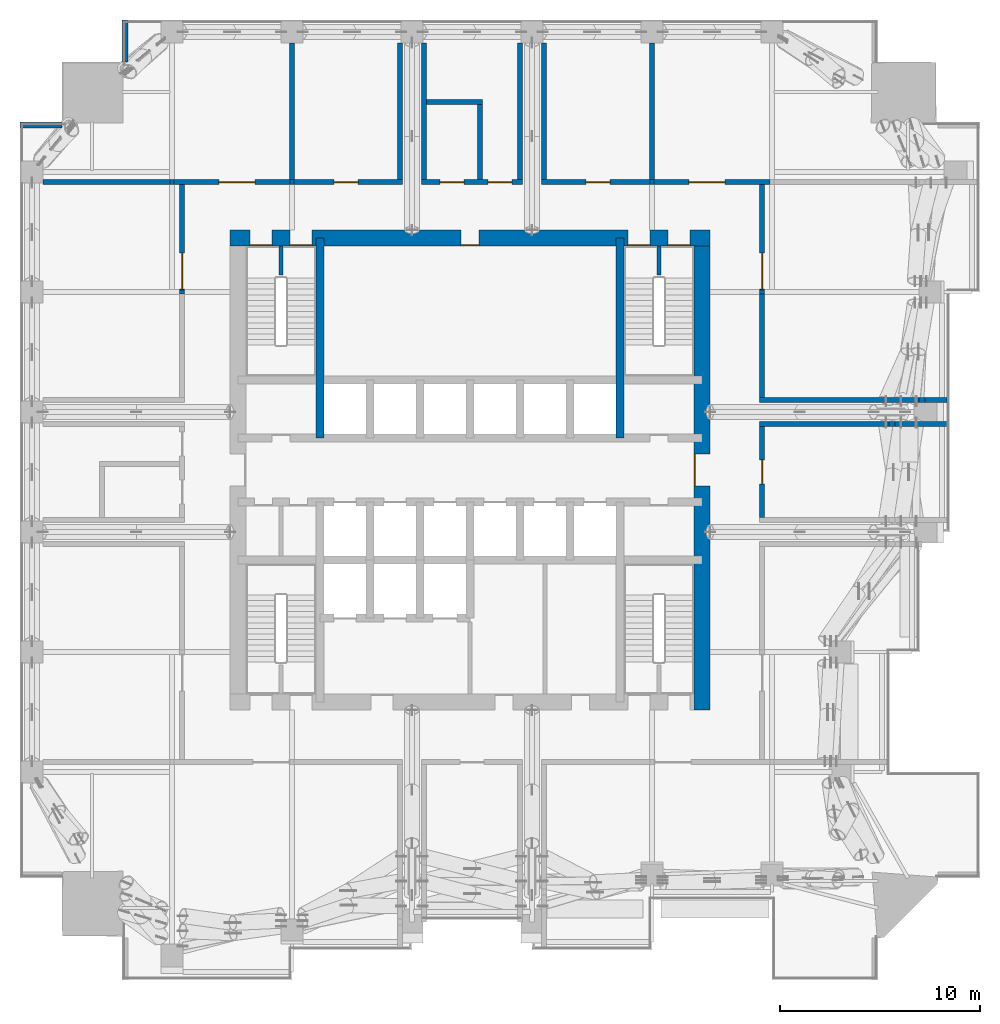
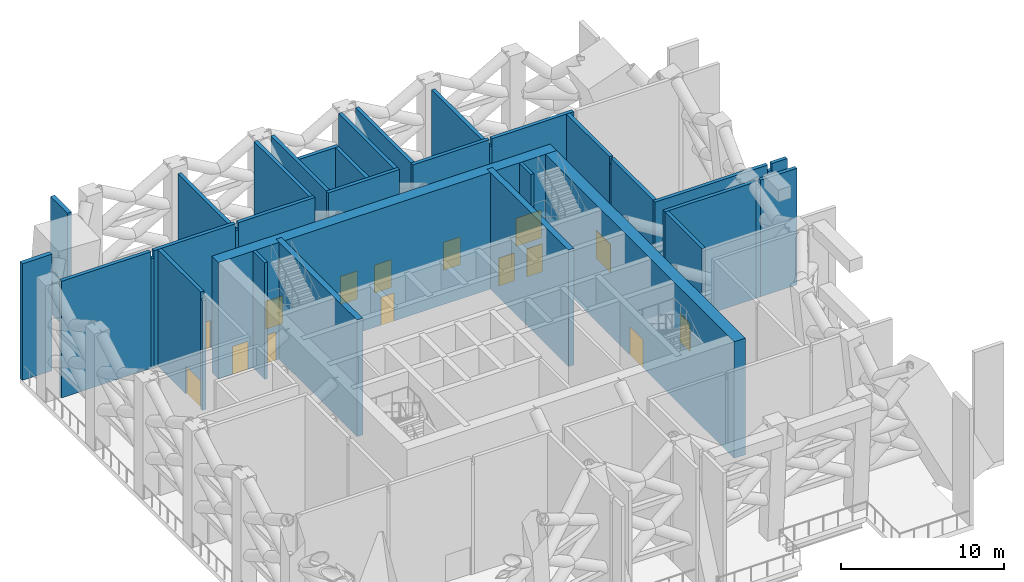
# One storey, part 9 of 19: 37 walls, 15 doors, 15 openings.
"""IFC4 building model written with IfcOpenShell, lengths in metres."""

import ifcopenshell
import ifcopenshell.guid

model = None  # the IFC model being written
_history = None  # IfcOwnerHistory: only IFC2X3 demands one
_inside = {}  # id of a spatial element -> (the spatial element, [elements in it])
_under = {}  # id of a project, library or spatial element -> (it, [spatial elements below it])
_declared = {}  # id of a project -> (the project, [libraries it declares])
_typed = {}  # id of a type object -> (the type object, [elements of that type])
_made_of = {}  # id of a material, layer set ... -> (it, [elements and type objects made of it])


def new_model(schema):
    """Start an empty IFC model of exactly this schema.

    Asked for "IFC4X3", IfcOpenShell would pick the latest addendum, in which some entities
    have other attributes; the version numbers below select the first issue.
    IFC2X3 requires an IfcOwnerHistory on every rooted entity: one is made here for all.
    """
    global model, _history
    if schema == "IFC4X3":
        model = ifcopenshell.file(schema_version=(4, 3, 0, 0))
    else:
        model = ifcopenshell.file(schema=schema)
    _inside.clear()
    _under.clear()
    _declared.clear()
    _typed.clear()
    _made_of.clear()
    _history = None
    if model.schema == "IFC2X3":
        org = make("IfcOrganization", Name="unknown")
        user = make(
            "IfcPersonAndOrganization",
            ThePerson=make("IfcPerson", FamilyName="unknown"),
            TheOrganization=org,
        )
        app = make(
            "IfcApplication",
            ApplicationDeveloper=org,
            Version="unknown",
            ApplicationFullName="unknown",
            ApplicationIdentifier="unknown",
        )
        _history = make(
            "IfcOwnerHistory",
            OwningUser=user,
            OwningApplication=app,
            ChangeAction="ADDED",
            CreationDate=0,
        )
    return model


def make(cls, **values):
    """One entity of the class cls with the attributes given. An attribute that is None is left unset."""
    return model.create_entity(
        cls, **{name: value for name, value in values.items() if value is not None}
    )


def rooted(cls, **values):
    """An entity with a GlobalId (a new one), such as an element, a storey or a relation."""
    return make(cls, GlobalId=ifcopenshell.guid.new(), OwnerHistory=_history, **values)


def si_unit(unit_type, name, prefix=None):
    """IfcSIUnit, for example si_unit("LENGTHUNIT", "METRE", prefix="MILLI")."""
    return make("IfcSIUnit", UnitType=unit_type, Prefix=prefix, Name=name)


def assignment(units):
    """IfcUnitAssignment: the units of a project."""
    return None if units is None else make("IfcUnitAssignment", Units=units)


def point(xyz):
    """IfcCartesianPoint."""
    return None if xyz is None else make("IfcCartesianPoint", Coordinates=xyz)


def direction(xyz):
    """IfcDirection."""
    return None if xyz is None else make("IfcDirection", DirectionRatios=xyz)


def frame(location, z_axis=None, x_axis=None):
    """IfcAxis2Placement3D, a coordinate frame: its origin and axes. An axis left out is left unset."""
    return make(
        "IfcAxis2Placement3D",
        Location=point(location),
        Axis=direction(z_axis),
        RefDirection=direction(x_axis),
    )


def frame_2d(location, x_axis=None):
    """IfcAxis2Placement2D, a coordinate frame in the plane: its origin and x axis."""
    return make(
        "IfcAxis2Placement2D", Location=point(location), RefDirection=direction(x_axis)
    )


def origin():
    """The frame at (0, 0, 0) with its axes left unset."""
    return frame((0.0, 0.0, 0.0))


def place(relative_to, where):
    """IfcLocalPlacement: puts the frame where relative to a parent placement (None: the world)."""
    return make(
        "IfcLocalPlacement", PlacementRelTo=relative_to, RelativePlacement=where
    )


def context(
    kind, dimensions, precision=None, world=None, true_north=None, identifier=None
):
    """IfcGeometricRepresentationContext, for example the 3D "Model" context."""
    return make(
        "IfcGeometricRepresentationContext",
        ContextIdentifier=identifier,
        ContextType=kind,
        CoordinateSpaceDimension=dimensions,
        Precision=precision,
        WorldCoordinateSystem=world,
        TrueNorth=true_north,
    )


def subcontext(parent, identifier, kind, view, scale=None):
    """IfcGeometricRepresentationSubContext, for example "Body" below "Model"."""
    return make(
        "IfcGeometricRepresentationSubContext",
        ContextIdentifier=identifier,
        ContextType=kind,
        ParentContext=parent,
        TargetScale=scale,
        TargetView=view,
    )


def project(units=None, contexts=None):
    """IfcProject with its units and contexts."""
    return rooted(
        "IfcProject",
        Name="project",
        RepresentationContexts=contexts,
        UnitsInContext=assignment(units),
    )


def spatial(cls, under=None, at=None, **own):
    """A site, building, storey or space (cls), placed at a placement, below another one or the project."""
    s = rooted(cls, ObjectPlacement=at, **own)
    if under is not None:
        _under.setdefault(under.id(), (under, []))[1].append(s)
    return s


def profile(cls, at=None, kind="AREA", **sizes):
    """A parametric profile (cls). Its sizes go by their IFC names, for example OverallWidth=200.0."""
    return make(cls, ProfileType=kind, Position=at, **sizes)


def rectangle(**sizes):
    """IfcRectangleProfileDef."""
    return profile("IfcRectangleProfileDef", **sizes)


def extrude(swept, where, along, depth):
    """IfcExtrudedAreaSolid: the profile swept, set in the frame where, extruded along a direction by depth."""
    return make(
        "IfcExtrudedAreaSolid",
        SweptArea=swept,
        Position=where,
        ExtrudedDirection=direction(along),
        Depth=depth,
    )


def shape(context_of_items, identifier, shape_type, items):
    """IfcShapeRepresentation: the items that make up one representation, for example the "Body"."""
    return make(
        "IfcShapeRepresentation",
        ContextOfItems=context_of_items,
        RepresentationIdentifier=identifier,
        RepresentationType=shape_type,
        Items=items,
    )


def material(Name=None, Category=None):
    """IfcMaterial."""
    return make("IfcMaterial", Name=Name, Category=Category)


def layer(
    of_material, thickness, ventilated=None, Name=None, Category=None, Priority=None
):
    """IfcMaterialLayer: one layer of a wall or slab, of a material (None: an air gap)."""
    return make(
        "IfcMaterialLayer",
        Material=of_material,
        LayerThickness=thickness,
        IsVentilated=ventilated,
        Name=Name,
        Category=Category,
        Priority=Priority,
    )


def layer_set(layers, Name=None):
    """IfcMaterialLayerSet."""
    return make("IfcMaterialLayerSet", MaterialLayers=layers, LayerSetName=Name)


def made_of(thing, what):
    """Note that an element or type object is made of a material, layer set ...; save() writes the relation."""
    if what is not None:
        _made_of.setdefault(what.id(), (what, []))[1].append(thing)
    return thing


def type_object(cls, material=None, **own):
    """A type object (cls), such as IfcWallType, which elements share."""
    return made_of(rooted(cls, **own), material)


def element(
    cls,
    number,
    at=None,
    inside=None,
    cuts=None,
    type_object=None,
    material=None,
    context=None,
    identifier="Body",
    shape_type=None,
    held_by="IfcProductDefinitionShape",
    body=None,
    shapes=None,
    **own,
):
    """One element of the class cls, such as IfcWall. Its Tag is "e" and its number.

    at: its placement. inside: the storey or other place that contains it. cuts: it is an
    opening in that element (IfcRelVoidsElement). A single representation is given by context,
    identifier, shape_type and body (its items); several are given by shapes. held_by: the class
    of the entity that holds the representations. save() writes the other relations.
    """
    e = rooted(cls, Tag="e%d" % number, ObjectPlacement=at, **own)
    if body is not None:
        shapes = [shape(context, identifier, shape_type, body)]
    if shapes is not None:
        e.Representation = make(held_by, Representations=shapes)
    if inside is not None:
        _inside.setdefault(inside.id(), (inside, []))[1].append(e)
    if cuts is not None:
        rooted(
            "IfcRelVoidsElement", RelatingBuildingElement=cuts, RelatedOpeningElement=e
        )
    if type_object is not None:
        _typed.setdefault(type_object.id(), (type_object, []))[1].append(e)
    return made_of(e, material)


def fill(opening, filler):
    """IfcRelFillsElement: the door or window that sits in an opening."""
    return rooted(
        "IfcRelFillsElement",
        RelatingOpeningElement=opening,
        RelatedBuildingElement=filler,
    )


def aggregate(whole, parts):
    """IfcRelAggregates: a whole, such as a stair, and the parts it consists of."""
    return rooted("IfcRelAggregates", RelatingObject=whole, RelatedObjects=parts)


def save(model, path):
    """Write the relations noted so far, then the file.

    IfcRelAggregates (storeys below a building ...), IfcRelContainedInSpatialStructure (elements
    in a storey), IfcRelDefinesByType, IfcRelAssociatesMaterial and IfcRelDeclares: one each for
    every whole, place, type object, material and project.
    """
    for whole, parts in _under.values():
        aggregate(whole, parts)
    for where, things in _inside.values():
        rooted(
            "IfcRelContainedInSpatialStructure",
            RelatedElements=things,
            RelatingStructure=where,
        )
    for kind, things in _typed.values():
        rooted("IfcRelDefinesByType", RelatedObjects=things, RelatingType=kind)
    for what, things in _made_of.values():
        rooted("IfcRelAssociatesMaterial", RelatedObjects=things, RelatingMaterial=what)
    for by, libraries in _declared.values():
        rooted("IfcRelDeclares", RelatingContext=by, RelatedDefinitions=libraries)
    model.write(path)


model = new_model("IFC4")

# Units and contexts
model_context = context("Model", 3, precision=1e-05, world=origin(), true_north=direction((0.0, 1.0)))
body_context = subcontext(model_context, "Body", "Model", "MODEL_VIEW")
ifc_project = project(units=[si_unit("LENGTHUNIT", "METRE"), si_unit("AREAUNIT", "SQUARE_METRE"), si_unit("VOLUMEUNIT", "CUBIC_METRE"), si_unit("PLANEANGLEUNIT", "RADIAN"), si_unit("MASSUNIT", "GRAM", prefix="KILO")], contexts=[model_context])

# Site, building, storey
site_placement = place(None, origin())
site = spatial("IfcSite", under=ifc_project, at=site_placement, CompositionType="ELEMENT")
building_placement = place(site_placement, origin())
building = spatial("IfcBuilding", under=site, at=building_placement, Name="Amberfall Residences", CompositionType="ELEMENT")
storey_placement = place(building_placement, frame((0.0, 0.0, 124.89990234375)))
storey = spatial("IfcBuildingStorey", under=building, at=storey_placement, Name="L34", CompositionType="ELEMENT", Elevation=124.89990234375)

# Walls
ifc_material_1 = material(Name="Reinforced concrete C40", Category="concrete")
ifc_layer_1 = layer(ifc_material_1, 0.25)
ifc_layer_set_1 = layer_set([ifc_layer_1], Name="Compartment wall 250")
wall_type_1 = type_object("IfcWallType", Name="Compartment wall 250", PredefinedType="SOLIDWALL", material=ifc_layer_set_1)
wall_1_placement = place(storey_placement, frame((88.97509765625, 47.800048828125, 0.0), z_axis=(0.0, 0.0, 1.0), x_axis=(1.0, 0.0, 0.0)))
element("IfcWall", 1, at=wall_1_placement, inside=storey, type_object=wall_type_1, Name="Compartment wall 250 L34 024", PredefinedType="SOLIDWALL", context=body_context, shape_type="SweptSolid", body=[
    extrude(rectangle(XDim=6.474853515625, YDim=0.25, at=frame_2d((3.2373046875, 0.0))), origin(), (0.0, 0.0, 1.0), 8.75),
])
wall_2_placement = place(storey_placement, frame((95.449951171875, 47.800048828125, 0.0), z_axis=(0.0, 0.0, 1.0), x_axis=(1.0, 0.0, 0.0)))
element("IfcWall", 2, at=wall_2_placement, inside=storey, type_object=wall_type_1, Name="Compartment wall 250 L34 025", PredefinedType="SOLIDWALL", context=body_context, shape_type="SweptSolid", body=[
    extrude(rectangle(XDim=0.300048828125, YDim=0.25, at=frame_2d((0.14990234375, 0.0))), origin(), (0.0, 0.0, 1.0), 8.25),
])
wall_3_placement = place(storey_placement, frame((95.75, 47.800048828125, 0.0), z_axis=(0.0, 0.0, 1.0), x_axis=(1.0, 0.0, 0.0)))
element("IfcWall", 3, at=wall_3_placement, inside=storey, type_object=wall_type_1, Name="Compartment wall 250 L34 026", PredefinedType="SOLIDWALL", context=body_context, shape_type="SweptSolid", body=[
    extrude(rectangle(XDim=2.60009765625, YDim=0.25, at=frame_2d((1.300048828125, 0.0))), origin(), (0.0, 0.0, 1.0), 8.75),
])
wall_4_placement = place(storey_placement, frame((88.97509765625, 49.0, 0.0), z_axis=(0.0, 0.0, 1.0), x_axis=(1.0, 0.0, 0.0)))
element("IfcWall", 4, at=wall_4_placement, inside=storey, type_object=wall_type_1, Name="Compartment wall 250 L34 028", PredefinedType="SOLIDWALL", context=body_context, shape_type="SweptSolid", body=[
    extrude(rectangle(XDim=7.974853515625, YDim=0.25, at=frame_2d((3.9873046875, 0.0))), origin(), (0.0, 0.0, 1.0), 8.75),
])
wall_5_placement = place(storey_placement, frame((96.949951171875, 49.0, 0.0), z_axis=(0.0, 0.0, 1.0), x_axis=(1.0, 0.0, 0.0)))
element("IfcWall", 5, at=wall_5_placement, inside=storey, type_object=wall_type_1, Name="Compartment wall 250 L34 029", PredefinedType="SOLIDWALL", context=body_context, shape_type="SweptSolid", body=[
    extrude(rectangle(XDim=0.300048828125, YDim=0.25, at=frame_2d((0.14990234375, 0.0))), origin(), (0.0, 0.0, 1.0), 8.25),
])
wall_6_placement = place(storey_placement, frame((97.25, 49.0, 0.0), z_axis=(0.0, 0.0, 1.0), x_axis=(1.0, 0.0, 0.0)))
element("IfcWall", 6, at=wall_6_placement, inside=storey, type_object=wall_type_1, Name="Compartment wall 250 L34 030", PredefinedType="SOLIDWALL", context=body_context, shape_type="SweptSolid", body=[
    extrude(rectangle(XDim=1.10009765625, YDim=0.25, at=frame_2d((0.550048828125, 0.0))), origin(), (0.0, 0.0, 1.0), 8.75),
])
wall_7_placement = place(storey_placement, frame((53.14990234375, 59.89990234375, 0.0), z_axis=(0.0, 0.0, 1.0), x_axis=(1.0, 0.0, 0.0)))
element("IfcWall", 7, at=wall_7_placement, inside=storey, type_object=wall_type_1, Name="Compartment wall 250 L34 031", PredefinedType="SOLIDWALL", context=body_context, shape_type="SweptSolid", body=[
    extrude(rectangle(XDim=6.3447265625, YDim=0.25, at=frame_2d((3.17236328125, 0.0))), origin(), (0.0, 0.0, 1.0), 8.75),
])
wall_8_placement = place(storey_placement, frame((59.49462890625, 59.89990234375, 0.0), z_axis=(0.0, 0.0, 1.0), x_axis=(1.0, 0.0, 0.0)))
element("IfcWall", 8, at=wall_8_placement, inside=storey, type_object=wall_type_1, Name="Compartment wall 250 L34 032", PredefinedType="SOLIDWALL", context=body_context, shape_type="SweptSolid", body=[
    extrude(rectangle(XDim=0.210693359375, YDim=0.25, at=frame_2d((0.10546875, 0.0))), origin(), (0.0, 0.0, 1.0), 8.211181640625),
])

# Wall, opening, door
wall_9_placement = place(storey_placement, frame((59.705322265625, 59.89990234375, 0.0), z_axis=(0.0, 0.0, 1.0), x_axis=(1.0, 0.0, 0.0)))
wall_9 = element("IfcWall", 9, at=wall_9_placement, inside=storey, type_object=wall_type_1, Name="Compartment wall 250 L34 033", PredefinedType="SOLIDWALL", context=body_context, shape_type="SweptSolid", body=[
    extrude(rectangle(XDim=5.7900390625, YDim=0.25, at=frame_2d((2.89501953125, 0.0))), origin(), (0.0, 0.0, 1.0), 8.75),
])
opening_1_placement = place(wall_9_placement, frame((2.24462890625, 0.0, 0.0)))
opening_1 = element("IfcOpeningElement", 10, at=opening_1_placement, cuts=wall_9, Name="Opening D13", PredefinedType="OPENING", context=body_context, shape_type="SweptSolid", body=[
    extrude(rectangle(XDim=1.800048828125, YDim=2.10009765625, at=frame_2d((0.89990234375, 1.050048828125))), frame((0.0, 0.135009765625, 0.0), z_axis=(0.0, -1.0, 0.0), x_axis=(1.0, 0.0, 0.0)), (0.0, 0.0, 1.0), 0.27001953125),
])
ifc_material_2 = material(Name="Steel fire door leaf", Category="steel")
door_type_1 = type_object("IfcDoorType", Name="Double fire door 1800x2100 FD60", OperationType="DOUBLE_DOOR_SINGLE_SWING", PredefinedType="DOOR", material=ifc_material_2)
door_1_placement = place(opening_1_placement, origin())
door_1 = element("IfcDoor", 11, at=door_1_placement, inside=storey, type_object=door_type_1, Name="Door Refuge area 4", OperationType="DOUBLE_DOOR_SINGLE_SWING", OverallHeight=2.10009765625, OverallWidth=1.800048828125, PredefinedType="DOOR", context=body_context, shape_type="SweptSolid", body=[
    extrude(rectangle(XDim=1.800048828125, YDim=2.10009765625, at=frame_2d((0.89990234375, 1.050048828125))), frame((0.0, 0.02490234375, 0.0), z_axis=(0.0, -1.0, 0.0), x_axis=(1.0, 0.0, 0.0)), (0.0, 0.0, 1.0), 0.050048828125),
])
fill(opening_1, door_1)

# Wall
wall_10_placement = place(storey_placement, frame((65.495361328125, 59.89990234375, 0.0), z_axis=(0.0, 0.0, 1.0), x_axis=(1.0, 0.0, 0.0)))
element("IfcWall", 12, at=wall_10_placement, inside=storey, type_object=wall_type_1, Name="Compartment wall 250 L34 034", PredefinedType="SOLIDWALL", context=body_context, shape_type="SweptSolid", body=[
    extrude(rectangle(XDim=0.209228515625, YDim=0.25, at=frame_2d((0.1044921875, 0.0))), origin(), (0.0, 0.0, 1.0), 8.217041015625),
])

# Wall, opening, door
wall_11_placement = place(storey_placement, frame((65.70458984375, 59.89990234375, 0.0), z_axis=(0.0, 0.0, 1.0), x_axis=(1.0, 0.0, 0.0)))
wall_11 = element("IfcWall", 13, at=wall_11_placement, inside=storey, type_object=wall_type_1, Name="Compartment wall 250 L34 035", PredefinedType="SOLIDWALL", context=body_context, shape_type="SweptSolid", body=[
    extrude(rectangle(XDim=5.42041015625, YDim=0.25, at=frame_2d((2.710205078125, 0.0))), origin(), (0.0, 0.0, 1.0), 8.75),
])
opening_2_placement = place(wall_11_placement, frame((1.995361328125, 0.0, 0.0)))
opening_2 = element("IfcOpeningElement", 14, at=opening_2_placement, cuts=wall_11, Name="Opening D6", PredefinedType="OPENING", context=body_context, shape_type="SweptSolid", body=[
    extrude(rectangle(XDim=1.199951171875, YDim=2.10009765625, at=frame_2d((0.60009765625, 1.050048828125))), frame((0.0, 0.135009765625, 0.0), z_axis=(0.0, -1.0, 0.0), x_axis=(1.0, 0.0, 0.0)), (0.0, 0.0, 1.0), 0.27001953125),
])
door_type_2 = type_object("IfcDoorType", Name="Exit door 1200x2100", OperationType="SINGLE_SWING_LEFT", PredefinedType="DOOR", material=ifc_material_2)
door_2_placement = place(opening_2_placement, origin())
door_2 = element("IfcDoor", 15, at=door_2_placement, inside=storey, type_object=door_type_2, Name="Door Refuge area 5", OperationType="SINGLE_SWING_LEFT", OverallHeight=2.10009765625, OverallWidth=1.199951171875, PredefinedType="DOOR", context=body_context, shape_type="SweptSolid", body=[
    extrude(rectangle(XDim=1.199951171875, YDim=2.10009765625, at=frame_2d((0.60009765625, 1.050048828125))), frame((0.0, 0.02490234375, 0.0), z_axis=(0.0, -1.0, 0.0), x_axis=(1.0, 0.0, 0.0)), (0.0, 0.0, 1.0), 0.050048828125),
])
fill(opening_2, door_2)

# Wall, openings, doors
wall_12_placement = place(storey_placement, frame((72.074951171875, 59.89990234375, 0.0), z_axis=(0.0, 0.0, 1.0), x_axis=(1.0, 0.0, 0.0)))
wall_12 = element("IfcWall", 16, at=wall_12_placement, inside=storey, type_object=wall_type_1, Name="Compartment wall 250 L34 036", PredefinedType="SOLIDWALL", context=body_context, shape_type="SweptSolid", body=[
    extrude(rectangle(XDim=5.050048828125, YDim=0.25, at=frame_2d((2.52490234375, 0.0))), origin(), (0.0, 0.0, 1.0), 8.75),
])
opening_3_placement = place(wall_12_placement, frame((0.925048828125, 0.0, 0.0)))
opening_3 = element("IfcOpeningElement", 17, at=opening_3_placement, cuts=wall_12, Name="Opening D7", PredefinedType="OPENING", context=body_context, shape_type="SweptSolid", body=[
    extrude(rectangle(XDim=1.199951171875, YDim=2.10009765625, at=frame_2d((0.60009765625, 1.050048828125))), frame((0.0, 0.135009765625, 0.0), z_axis=(0.0, -1.0, 0.0), x_axis=(1.0, 0.0, 0.0)), (0.0, 0.0, 1.0), 0.27001953125),
])
opening_4_placement = place(wall_12_placement, frame((3.324951171875, 0.0, 0.0)))
opening_4 = element("IfcOpeningElement", 18, at=opening_4_placement, cuts=wall_12, Name="Opening D6", PredefinedType="OPENING", context=body_context, shape_type="SweptSolid", body=[
    extrude(rectangle(XDim=1.199951171875, YDim=2.10009765625, at=frame_2d((0.60009765625, 1.050048828125))), frame((0.0, 0.135009765625, 0.0), z_axis=(0.0, -1.0, 0.0), x_axis=(1.0, 0.0, 0.0)), (0.0, 0.0, 1.0), 0.27001953125),
])
door_3_placement = place(opening_4_placement, origin())
door_3 = element("IfcDoor", 19, at=door_3_placement, inside=storey, type_object=door_type_2, Name="Door Refuge area 6", OperationType="SINGLE_SWING_LEFT", OverallHeight=2.10009765625, OverallWidth=1.199951171875, PredefinedType="DOOR", context=body_context, shape_type="SweptSolid", body=[
    extrude(rectangle(XDim=1.199951171875, YDim=2.10009765625, at=frame_2d((0.60009765625, 1.050048828125))), frame((0.0, 0.02490234375, 0.0), z_axis=(0.0, -1.0, 0.0), x_axis=(1.0, 0.0, 0.0)), (0.0, 0.0, 1.0), 0.050048828125),
])
fill(opening_4, door_3)
door_type_3 = type_object("IfcDoorType", Name="Plant room door 1200x2100", OperationType="SINGLE_SWING_LEFT", PredefinedType="DOOR", material=ifc_material_2)
door_4_placement = place(opening_3_placement, origin())
door_4 = element("IfcDoor", 20, at=door_4_placement, inside=storey, type_object=door_type_3, Name="Door Fire services water tank room N", OperationType="SINGLE_SWING_LEFT", OverallHeight=2.10009765625, OverallWidth=1.199951171875, PredefinedType="DOOR", context=body_context, shape_type="SweptSolid", body=[
    extrude(rectangle(XDim=1.199951171875, YDim=2.10009765625, at=frame_2d((0.60009765625, 1.050048828125))), frame((0.0, 0.02490234375, 0.0), z_axis=(0.0, -1.0, 0.0), x_axis=(1.0, 0.0, 0.0)), (0.0, 0.0, 1.0), 0.050048828125),
])
fill(opening_3, door_4)

# Wall, opening, door
wall_13_placement = place(storey_placement, frame((78.074951171875, 59.89990234375, 0.0), z_axis=(0.0, 0.0, 1.0), x_axis=(1.0, 0.0, 0.0)))
wall_13 = element("IfcWall", 21, at=wall_13_placement, inside=storey, type_object=wall_type_1, Name="Compartment wall 250 L34 037", PredefinedType="SOLIDWALL", context=body_context, shape_type="SweptSolid", body=[
    extrude(rectangle(XDim=5.42041015625, YDim=0.25, at=frame_2d((2.710205078125, 0.0))), origin(), (0.0, 0.0, 1.0), 8.75),
])
opening_5_placement = place(wall_13_placement, frame((2.22509765625, 0.0, 0.0)))
opening_5 = element("IfcOpeningElement", 22, at=opening_5_placement, cuts=wall_13, Name="Opening D6", PredefinedType="OPENING", context=body_context, shape_type="SweptSolid", body=[
    extrude(rectangle(XDim=1.199951171875, YDim=2.10009765625, at=frame_2d((0.60009765625, 1.050048828125))), frame((0.0, 0.135009765625, 0.0), z_axis=(0.0, -1.0, 0.0), x_axis=(1.0, 0.0, 0.0)), (0.0, 0.0, 1.0), 0.27001953125),
])
door_5_placement = place(opening_5_placement, origin())
door_5 = element("IfcDoor", 23, at=door_5_placement, inside=storey, type_object=door_type_2, Name="Door Refuge area 7", OperationType="SINGLE_SWING_LEFT", OverallHeight=2.10009765625, OverallWidth=1.199951171875, PredefinedType="DOOR", context=body_context, shape_type="SweptSolid", body=[
    extrude(rectangle(XDim=1.199951171875, YDim=2.10009765625, at=frame_2d((0.60009765625, 1.050048828125))), frame((0.0, 0.02490234375, 0.0), z_axis=(0.0, -1.0, 0.0), x_axis=(1.0, 0.0, 0.0)), (0.0, 0.0, 1.0), 0.050048828125),
])
fill(opening_5, door_5)

# Wall
wall_14_placement = place(storey_placement, frame((83.495361328125, 59.89990234375, 0.0), z_axis=(0.0, 0.0, 1.0), x_axis=(1.0, 0.0, 0.0)))
element("IfcWall", 24, at=wall_14_placement, inside=storey, type_object=wall_type_1, Name="Compartment wall 250 L34 038", PredefinedType="SOLIDWALL", context=body_context, shape_type="SweptSolid", body=[
    extrude(rectangle(XDim=0.209228515625, YDim=0.25, at=frame_2d((0.1044921875, 0.0))), origin(), (0.0, 0.0, 1.0), 8.217041015625),
])

# Wall, opening, door
wall_15_placement = place(storey_placement, frame((83.70458984375, 59.89990234375, 0.0), z_axis=(0.0, 0.0, 1.0), x_axis=(1.0, 0.0, 0.0)))
wall_15 = element("IfcWall", 25, at=wall_15_placement, inside=storey, type_object=wall_type_1, Name="Compartment wall 250 L34 039", PredefinedType="SOLIDWALL", context=body_context, shape_type="SweptSolid", body=[
    extrude(rectangle(XDim=5.7900390625, YDim=0.25, at=frame_2d((2.89501953125, 0.0))), origin(), (0.0, 0.0, 1.0), 8.75),
])
opening_6_placement = place(wall_15_placement, frame((1.745361328125, 0.0, 0.0)))
opening_6 = element("IfcOpeningElement", 26, at=opening_6_placement, cuts=wall_15, Name="Opening D13", PredefinedType="OPENING", context=body_context, shape_type="SweptSolid", body=[
    extrude(rectangle(XDim=1.800048828125, YDim=2.10009765625, at=frame_2d((0.89990234375, 1.050048828125))), frame((0.0, 0.135009765625, 0.0), z_axis=(0.0, -1.0, 0.0), x_axis=(1.0, 0.0, 0.0)), (0.0, 0.0, 1.0), 0.27001953125),
])
door_6_placement = place(opening_6_placement, origin())
door_6 = element("IfcDoor", 27, at=door_6_placement, inside=storey, type_object=door_type_1, Name="Door Refuge area 8", OperationType="DOUBLE_DOOR_SINGLE_SWING", OverallHeight=2.10009765625, OverallWidth=1.800048828125, PredefinedType="DOOR", context=body_context, shape_type="SweptSolid", body=[
    extrude(rectangle(XDim=1.800048828125, YDim=2.10009765625, at=frame_2d((0.89990234375, 1.050048828125))), frame((0.0, 0.02490234375, 0.0), z_axis=(0.0, -1.0, 0.0), x_axis=(1.0, 0.0, 0.0)), (0.0, 0.0, 1.0), 0.050048828125),
])
fill(opening_6, door_6)

# Walls
wall_16_placement = place(storey_placement, frame((72.324951171875, 63.89990234375, 0.0), z_axis=(0.0, 0.0, 1.0), x_axis=(1.0, 0.0, 0.0)))
element("IfcWall", 28, at=wall_16_placement, inside=storey, type_object=wall_type_1, Name="Compartment wall 250 L34 044", PredefinedType="SOLIDWALL", context=body_context, shape_type="SweptSolid", body=[
    extrude(rectangle(XDim=2.800048828125, YDim=0.25, at=frame_2d((1.39990234375, 0.0))), origin(), (0.0, 0.0, 1.0), 8.75),
])
wall_17_placement = place(storey_placement, frame((60.10009765625, 54.29541015625, 0.0), z_axis=(0.0, 0.0, 1.0), x_axis=(0.0, 1.0, 0.0)))
element("IfcWall", 29, at=wall_17_placement, inside=storey, type_object=wall_type_1, Name="Compartment wall 250 L34 051", PredefinedType="SOLIDWALL", context=body_context, shape_type="SweptSolid", body=[
    extrude(rectangle(XDim=0.209228515625, YDim=0.25, at=frame_2d((0.1044921875, 0.0))), origin(), (0.0, 0.0, 1.0), 8.217041015625),
])

# Wall, opening, door
wall_18_placement = place(storey_placement, frame((60.10009765625, 54.504638671875, 0.0), z_axis=(0.0, 0.0, 1.0), x_axis=(0.0, 1.0, 0.0)))
wall_18 = element("IfcWall", 30, at=wall_18_placement, inside=storey, type_object=wall_type_1, Name="Compartment wall 250 L34 052", PredefinedType="SOLIDWALL", context=body_context, shape_type="SweptSolid", body=[
    extrude(rectangle(XDim=5.270263671875, YDim=0.25, at=frame_2d((2.63525390625, 0.0))), origin(), (0.0, 0.0, 1.0), 8.75),
])
opening_7_placement = place(wall_18_placement, frame((0.04541015625, 0.0, 0.0)))
opening_7 = element("IfcOpeningElement", 31, at=opening_7_placement, cuts=wall_18, Name="Opening D13", PredefinedType="OPENING", context=body_context, shape_type="SweptSolid", body=[
    extrude(rectangle(XDim=1.800048828125, YDim=2.10009765625, at=frame_2d((0.89990234375, 1.050048828125))), frame((0.0, 0.135009765625, 0.0), z_axis=(0.0, -1.0, 0.0), x_axis=(1.0, 0.0, 0.0)), (0.0, 0.0, 1.0), 0.27001953125),
])
door_7_placement = place(opening_7_placement, origin())
door_7 = element("IfcDoor", 32, at=door_7_placement, inside=storey, type_object=door_type_1, Name="Door Refuge area 11", OperationType="DOUBLE_DOOR_SINGLE_SWING", OverallHeight=2.10009765625, OverallWidth=1.800048828125, PredefinedType="DOOR", context=body_context, shape_type="SweptSolid", body=[
    extrude(rectangle(XDim=1.800048828125, YDim=2.10009765625, at=frame_2d((0.89990234375, 1.050048828125))), frame((0.0, 0.02490234375, 0.0), z_axis=(0.0, -1.0, 0.0), x_axis=(1.0, 0.0, 0.0)), (0.0, 0.0, 1.0), 0.050048828125),
])
fill(opening_7, door_7)

# Walls
wall_19_placement = place(storey_placement, frame((65.60009765625, 60.02490234375, 0.0), z_axis=(0.0, 0.0, 1.0), x_axis=(0.0, 1.0, 0.0)))
element("IfcWall", 33, at=wall_19_placement, inside=storey, type_object=wall_type_1, Name="Compartment wall 250 L34 053", PredefinedType="SOLIDWALL", context=body_context, shape_type="SweptSolid", body=[
    extrude(rectangle(XDim=6.8251953125, YDim=0.25, at=frame_2d((3.41259765625, 0.0))), origin(), (0.0, 0.0, 1.0), 8.217041015625),
])
for number, where, z_axis, x_axis, name in (
    (34, (71.0, 60.02490234375, 0.0), (0.0, 0.0, 1.0), (0.0, 1.0, 0.0), "Compartment wall 250 L34 057"),
    (35, (72.199951171875, 60.02490234375, 0.0), (0.0, 0.0, 1.0), (0.0, 1.0, 0.0), "Compartment wall 250 L34 061"),
):
    element("IfcWall", number, at=place(storey_placement, frame(where, z_axis=z_axis, x_axis=x_axis)), inside=storey, type_object=wall_type_1, Name=name, PredefinedType="SOLIDWALL", context=body_context, shape_type="SweptSolid", body=[
        extrude(rectangle(XDim=6.8251953125, YDim=0.25, at=frame_2d((3.41259765625, 0.0))), origin(), (0.0, 0.0, 1.0), 8.75),
    ])
wall_20_placement = place(storey_placement, frame((75.0, 60.02490234375, 0.0), z_axis=(0.0, 0.0, 1.0), x_axis=(0.0, 1.0, 0.0)))
element("IfcWall", 36, at=wall_20_placement, inside=storey, type_object=wall_type_1, Name="Compartment wall 250 L34 062", PredefinedType="SOLIDWALL", context=body_context, shape_type="SweptSolid", body=[
    extrude(rectangle(XDim=3.75, YDim=0.25, at=frame_2d((1.875, 0.0))), origin(), (0.0, 0.0, 1.0), 8.75),
])
for number, where, z_axis, x_axis, name in (
    (37, (77.0, 60.02490234375, 0.0), (0.0, 0.0, 1.0), (0.0, 1.0, 0.0), "Compartment wall 250 L34 066"),
    (38, (78.199951171875, 60.02490234375, 0.0), (0.0, 0.0, 1.0), (0.0, 1.0, 0.0), "Compartment wall 250 L34 070"),
):
    element("IfcWall", number, at=place(storey_placement, frame(where, z_axis=z_axis, x_axis=x_axis)), inside=storey, type_object=wall_type_1, Name=name, PredefinedType="SOLIDWALL", context=body_context, shape_type="SweptSolid", body=[
        extrude(rectangle(XDim=6.8251953125, YDim=0.25, at=frame_2d((3.41259765625, 0.0))), origin(), (0.0, 0.0, 1.0), 8.75),
    ])
wall_21_placement = place(storey_placement, frame((83.60009765625, 60.02490234375, 0.0), z_axis=(0.0, 0.0, 1.0), x_axis=(0.0, 1.0, 0.0)))
element("IfcWall", 39, at=wall_21_placement, inside=storey, type_object=wall_type_1, Name="Compartment wall 250 L34 071", PredefinedType="SOLIDWALL", context=body_context, shape_type="SweptSolid", body=[
    extrude(rectangle(XDim=6.8251953125, YDim=0.25, at=frame_2d((3.41259765625, 0.0))), origin(), (0.0, 0.0, 1.0), 8.217041015625),
])

# Wall, opening, door
wall_22_placement = place(storey_placement, frame((89.10009765625, 43.125, 0.0), z_axis=(0.0, 0.0, 1.0), x_axis=(0.0, 1.0, 0.0)))
wall_22 = element("IfcWall", 40, at=wall_22_placement, inside=storey, type_object=wall_type_1, Name="Compartment wall 250 L34 075", PredefinedType="SOLIDWALL", context=body_context, shape_type="SweptSolid", body=[
    extrude(rectangle(XDim=4.550048828125, YDim=0.25, at=frame_2d((2.27490234375, 0.0))), origin(), (0.0, 0.0, 1.0), 8.75),
])
opening_8_placement = place(wall_22_placement, frame((1.675048828125, 0.0, 0.0)))
opening_8 = element("IfcOpeningElement", 41, at=opening_8_placement, cuts=wall_22, Name="Opening D6", PredefinedType="OPENING", context=body_context, shape_type="SweptSolid", body=[
    extrude(rectangle(XDim=1.199951171875, YDim=2.10009765625, at=frame_2d((0.60009765625, 1.050048828125))), frame((0.0, 0.135009765625, 0.0), z_axis=(0.0, -1.0, 0.0), x_axis=(1.0, 0.0, 0.0)), (0.0, 0.0, 1.0), 0.27001953125),
])
door_8_placement = place(opening_8_placement, origin())
door_8 = element("IfcDoor", 42, at=door_8_placement, inside=storey, type_object=door_type_2, Name="Door Refuge area 13", OperationType="SINGLE_SWING_LEFT", OverallHeight=2.10009765625, OverallWidth=1.199951171875, PredefinedType="DOOR", context=body_context, shape_type="SweptSolid", body=[
    extrude(rectangle(XDim=1.199951171875, YDim=2.10009765625, at=frame_2d((0.60009765625, 1.050048828125))), frame((0.0, 0.02490234375, 0.0), z_axis=(0.0, -1.0, 0.0), x_axis=(1.0, 0.0, 0.0)), (0.0, 0.0, 1.0), 0.050048828125),
])
fill(opening_8, door_8)

# Walls
wall_23_placement = place(storey_placement, frame((89.10009765625, 49.125, 0.0), z_axis=(0.0, 0.0, 1.0), x_axis=(0.0, 1.0, 0.0)))
element("IfcWall", 43, at=wall_23_placement, inside=storey, type_object=wall_type_1, Name="Compartment wall 250 L34 076", PredefinedType="SOLIDWALL", context=body_context, shape_type="SweptSolid", body=[
    extrude(rectangle(XDim=5.17041015625, YDim=0.25, at=frame_2d((2.585205078125, 0.0))), origin(), (0.0, 0.0, 1.0), 8.75),
])
wall_24_placement = place(storey_placement, frame((89.10009765625, 54.29541015625, 0.0), z_axis=(0.0, 0.0, 1.0), x_axis=(0.0, 1.0, 0.0)))
element("IfcWall", 44, at=wall_24_placement, inside=storey, type_object=wall_type_1, Name="Compartment wall 250 L34 077", PredefinedType="SOLIDWALL", context=body_context, shape_type="SweptSolid", body=[
    extrude(rectangle(XDim=0.209228515625, YDim=0.25, at=frame_2d((0.1044921875, 0.0))), origin(), (0.0, 0.0, 1.0), 8.217041015625),
])

# Wall, opening, door
wall_25_placement = place(storey_placement, frame((89.10009765625, 54.504638671875, 0.0), z_axis=(0.0, 0.0, 1.0), x_axis=(0.0, 1.0, 0.0)))
wall_25 = element("IfcWall", 45, at=wall_25_placement, inside=storey, type_object=wall_type_1, Name="Compartment wall 250 L34 078", PredefinedType="SOLIDWALL", context=body_context, shape_type="SweptSolid", body=[
    extrude(rectangle(XDim=5.270263671875, YDim=0.25, at=frame_2d((2.63525390625, 0.0))), origin(), (0.0, 0.0, 1.0), 8.75),
])
opening_9_placement = place(wall_25_placement, frame((0.04541015625, 0.0, 0.0)))
opening_9 = element("IfcOpeningElement", 46, at=opening_9_placement, cuts=wall_25, Name="Opening D13", PredefinedType="OPENING", context=body_context, shape_type="SweptSolid", body=[
    extrude(rectangle(XDim=1.800048828125, YDim=2.10009765625, at=frame_2d((0.89990234375, 1.050048828125))), frame((0.0, 0.135009765625, 0.0), z_axis=(0.0, -1.0, 0.0), x_axis=(1.0, 0.0, 0.0)), (0.0, 0.0, 1.0), 0.27001953125),
])
door_9_placement = place(opening_9_placement, origin())
door_9 = element("IfcDoor", 47, at=door_9_placement, inside=storey, type_object=door_type_1, Name="Door Refuge area 14", OperationType="DOUBLE_DOOR_SINGLE_SWING", OverallHeight=2.10009765625, OverallWidth=1.800048828125, PredefinedType="DOOR", context=body_context, shape_type="SweptSolid", body=[
    extrude(rectangle(XDim=1.800048828125, YDim=2.10009765625, at=frame_2d((0.89990234375, 1.050048828125))), frame((0.0, 0.02490234375, 0.0), z_axis=(0.0, -1.0, 0.0), x_axis=(1.0, 0.0, 0.0)), (0.0, 0.0, 1.0), 0.050048828125),
])
fill(opening_9, door_9)

# Walls
ifc_material_3 = material(Name="Concrete C70", Category="concrete")
ifc_layer_2 = layer(ifc_material_3, 0.39990234375)
ifc_layer_set_2 = layer_set([ifc_layer_2], Name="Core wall 400 C70")
wall_type_2 = type_object("IfcWallType", Name="Core wall 400 C70", PredefinedType="SHEAR", material=ifc_layer_set_2)
for number, where, z_axis, x_axis, name in (
    (48, (67.0, 47.10009765625, 0.0), (0.0, 0.0, 1.0), (0.0, 1.0, 0.0), "Core wall RW4 L34 V45N"),
    (49, (82.0, 47.10009765625, 0.0), (0.0, 0.0, 1.0), (0.0, 1.0, 0.0), "Core wall RW4 L34 V195N"),
):
    element("IfcWall", number, at=place(storey_placement, frame(where, z_axis=z_axis, x_axis=x_axis)), inside=storey, type_object=wall_type_2, Name=name, PredefinedType="SHEAR", context=body_context, shape_type="SweptSolid", body=[
        extrude(rectangle(XDim=10.0, YDim=0.39990234375, at=frame_2d((5.0, 0.0))), origin(), (0.0, 0.0, 1.0), 8.75),
    ])

# Wall, openings, doors
ifc_layer_3 = layer(ifc_material_3, 0.800048828125)
ifc_layer_set_3 = layer_set([ifc_layer_3], Name="Core wall 800 C70")
wall_type_3 = type_object("IfcWallType", Name="Core wall 800 C70", PredefinedType="SHEAR", material=ifc_layer_set_3)
wall_26_placement = place(storey_placement, frame((62.5, 57.10009765625, 0.0), z_axis=(0.0, 0.0, 1.0), x_axis=(1.0, 0.0, 0.0)))
wall_26 = element("IfcWall", 50, at=wall_26_placement, inside=storey, type_object=wall_type_3, Name="Core wall RW3 L34 ON", PredefinedType="SHEAR", context=body_context, shape_type="SweptSolid", body=[
    extrude(rectangle(XDim=24.0, YDim=0.800048828125, at=frame_2d((12.0, 0.0))), origin(), (0.0, 0.0, 1.0), 8.75),
])
opening_10_placement = place(wall_26_placement, frame((19.89990234375, 0.0, 0.0)))
opening_10 = element("IfcOpeningElement", 51, at=opening_10_placement, cuts=wall_26, Name="Opening SD1", PredefinedType="OPENING", context=body_context, shape_type="SweptSolid", body=[
    extrude(rectangle(XDim=1.10009765625, YDim=2.10009765625, at=frame_2d((0.550048828125, 1.050048828125))), frame((0.0, 0.409912109375, 0.0), z_axis=(0.0, -1.0, 0.0), x_axis=(1.0, 0.0, 0.0)), (0.0, 0.0, 1.0), 0.820068359375),
])
opening_11_placement = place(wall_26_placement, frame((21.89990234375, 0.0, 0.0)))
opening_11 = element("IfcOpeningElement", 52, at=opening_11_placement, cuts=wall_26, Name="Opening SD1", PredefinedType="OPENING", context=body_context, shape_type="SweptSolid", body=[
    extrude(rectangle(XDim=1.10009765625, YDim=2.10009765625, at=frame_2d((0.550048828125, 1.050048828125))), frame((0.0, 0.409912109375, 0.0), z_axis=(0.0, -1.0, 0.0), x_axis=(1.0, 0.0, 0.0)), (0.0, 0.0, 1.0), 0.820068359375),
])
opening_12_placement = place(wall_26_placement, frame((1.0, 0.0, 0.0)))
opening_12 = element("IfcOpeningElement", 53, at=opening_12_placement, cuts=wall_26, Name="Opening SD1", PredefinedType="OPENING", context=body_context, shape_type="SweptSolid", body=[
    extrude(rectangle(XDim=1.10009765625, YDim=2.10009765625, at=frame_2d((0.550048828125, 1.050048828125))), frame((0.0, 0.409912109375, 0.0), z_axis=(0.0, -1.0, 0.0), x_axis=(1.0, 0.0, 0.0)), (0.0, 0.0, 1.0), 0.820068359375),
])
opening_13_placement = place(wall_26_placement, frame((3.0, 0.0, 0.0)))
opening_13 = element("IfcOpeningElement", 54, at=opening_13_placement, cuts=wall_26, Name="Opening SD1", PredefinedType="OPENING", context=body_context, shape_type="SweptSolid", body=[
    extrude(rectangle(XDim=1.10009765625, YDim=2.10009765625, at=frame_2d((0.550048828125, 1.050048828125))), frame((0.0, 0.409912109375, 0.0), z_axis=(0.0, -1.0, 0.0), x_axis=(1.0, 0.0, 0.0)), (0.0, 0.0, 1.0), 0.820068359375),
])
opening_14_placement = place(wall_26_placement, frame((11.550048828125, 0.0, 0.0)))
opening_14 = element("IfcOpeningElement", 55, at=opening_14_placement, cuts=wall_26, Name="Opening RD1", PredefinedType="OPENING", context=body_context, shape_type="SweptSolid", body=[
    extrude(rectangle(XDim=0.89990234375, YDim=2.10009765625, at=frame_2d((0.449951171875, 1.050048828125))), frame((0.0, 0.409912109375, 0.0), z_axis=(0.0, -1.0, 0.0), x_axis=(1.0, 0.0, 0.0)), (0.0, 0.0, 1.0), 0.820068359375),
])
ifc_material_4 = material(Name="Steel fire door set", Category="steel")
door_type_4 = type_object("IfcDoorType", Name="Service room door 900 x 2100", OperationType="SINGLE_SWING_LEFT", PredefinedType="DOOR", material=ifc_material_4)
door_10_placement = place(opening_14_placement, origin())
door_10 = element("IfcDoor", 56, at=door_10_placement, inside=storey, type_object=door_type_4, Name="RD1 L34", OperationType="SINGLE_SWING_RIGHT", OverallHeight=2.10009765625, OverallWidth=0.89990234375, PredefinedType="DOOR", context=body_context, shape_type="SweptSolid", body=[
    extrude(rectangle(XDim=0.89990234375, YDim=2.10009765625, at=frame_2d((0.449951171875, 1.050048828125))), frame((0.0, -0.33740234375, 0.0), z_axis=(0.0, -1.0, 0.0), x_axis=(1.0, 0.0, 0.0)), (0.0, 0.0, 1.0), 0.050048828125),
])
fill(opening_14, door_10)
door_type_5 = type_object("IfcDoorType", Name="Stair door 1100 x 2100", OperationType="SINGLE_SWING_LEFT", PredefinedType="DOOR", material=ifc_material_4)
door_11_placement = place(opening_10_placement, origin())
door_11 = element("IfcDoor", 57, at=door_11_placement, inside=storey, type_object=door_type_5, Name="SD1 L34", OperationType="SINGLE_SWING_RIGHT", OverallHeight=2.10009765625, OverallWidth=1.10009765625, PredefinedType="DOOR", context=body_context, shape_type="SweptSolid", body=[
    extrude(rectangle(XDim=1.10009765625, YDim=2.10009765625, at=frame_2d((0.550048828125, 1.050048828125))), frame((0.0, -0.33740234375, 0.0), z_axis=(0.0, -1.0, 0.0), x_axis=(1.0, 0.0, 0.0)), (0.0, 0.0, 1.0), 0.050048828125),
])
fill(opening_10, door_11)
door_12_placement = place(opening_11_placement, origin())
door_12 = element("IfcDoor", 58, at=door_12_placement, inside=storey, type_object=door_type_5, Name="SD1 L34", OperationType="SINGLE_SWING_RIGHT", OverallHeight=2.10009765625, OverallWidth=1.10009765625, PredefinedType="DOOR", context=body_context, shape_type="SweptSolid", body=[
    extrude(rectangle(XDim=1.10009765625, YDim=2.10009765625, at=frame_2d((0.550048828125, 1.050048828125))), frame((0.0, -0.33740234375, 0.0), z_axis=(0.0, -1.0, 0.0), x_axis=(1.0, 0.0, 0.0)), (0.0, 0.0, 1.0), 0.050048828125),
])
fill(opening_11, door_12)
door_13_placement = place(opening_12_placement, origin())
door_13 = element("IfcDoor", 59, at=door_13_placement, inside=storey, type_object=door_type_5, Name="SD1 L34", OperationType="SINGLE_SWING_LEFT", OverallHeight=2.10009765625, OverallWidth=1.10009765625, PredefinedType="DOOR", context=body_context, shape_type="SweptSolid", body=[
    extrude(rectangle(XDim=1.10009765625, YDim=2.10009765625, at=frame_2d((0.550048828125, 1.050048828125))), frame((0.0, -0.33740234375, 0.0), z_axis=(0.0, -1.0, 0.0), x_axis=(1.0, 0.0, 0.0)), (0.0, 0.0, 1.0), 0.050048828125),
])
fill(opening_12, door_13)
door_14_placement = place(opening_13_placement, origin())
door_14 = element("IfcDoor", 60, at=door_14_placement, inside=storey, type_object=door_type_5, Name="SD1 L34", OperationType="SINGLE_SWING_LEFT", OverallHeight=2.10009765625, OverallWidth=1.10009765625, PredefinedType="DOOR", context=body_context, shape_type="SweptSolid", body=[
    extrude(rectangle(XDim=1.10009765625, YDim=2.10009765625, at=frame_2d((0.550048828125, 1.050048828125))), frame((0.0, -0.33740234375, 0.0), z_axis=(0.0, -1.0, 0.0), x_axis=(1.0, 0.0, 0.0)), (0.0, 0.0, 1.0), 0.050048828125),
])
fill(opening_13, door_14)

# Wall, opening, door
wall_27_placement = place(storey_placement, frame((86.10009765625, 33.5, 0.0), z_axis=(0.0, 0.0, 1.0), x_axis=(0.0, 1.0, 0.0)))
wall_27 = element("IfcWall", 61, at=wall_27_placement, inside=storey, type_object=wall_type_3, Name="Core wall RW3 L34 OE", PredefinedType="SHEAR", context=body_context, shape_type="SweptSolid", body=[
    extrude(rectangle(XDim=24.0, YDim=0.800048828125, at=frame_2d((12.0, 0.0))), origin(), (0.0, 0.0, 1.0), 8.75),
])
opening_15_placement = place(wall_27_placement, frame((11.199951171875, 0.0, 0.0)))
opening_15 = element("IfcOpeningElement", 62, at=opening_15_placement, cuts=wall_27, Name="Opening LB1", PredefinedType="OPENING", context=body_context, shape_type="SweptSolid", body=[
    extrude(rectangle(XDim=1.60009765625, YDim=2.10009765625, at=frame_2d((0.800048828125, 1.050048828125))), frame((0.0, 0.409912109375, 0.0), z_axis=(0.0, -1.0, 0.0), x_axis=(1.0, 0.0, 0.0)), (0.0, 0.0, 1.0), 0.820068359375),
])
door_type_6 = type_object("IfcDoorType", Name="Lift lobby double door 1600 x 2100", OperationType="DOUBLE_DOOR_SINGLE_SWING", PredefinedType="DOOR", material=ifc_material_4)
door_15_placement = place(opening_15_placement, origin())
door_15 = element("IfcDoor", 63, at=door_15_placement, inside=storey, type_object=door_type_6, Name="LB1 L34", OperationType="DOUBLE_DOOR_SINGLE_SWING", OverallHeight=2.10009765625, OverallWidth=1.60009765625, PredefinedType="DOOR", context=body_context, shape_type="SweptSolid", body=[
    extrude(rectangle(XDim=1.60009765625, YDim=2.10009765625, at=frame_2d((0.800048828125, 1.050048828125))), frame((0.0, 0.3876953125, 0.0), z_axis=(0.0, -1.0, 0.0), x_axis=(1.0, 0.0, 0.0)), (0.0, 0.0, 1.0), 0.050048828125),
])
fill(opening_15, door_15)

# Walls
ifc_material_5 = material(Name="Bronze aluminium louvre cladding on insulated backing", Category="aluminium")
ifc_layer_4 = layer(ifc_material_5, 0.300048828125)
ifc_layer_set_4 = layer_set([ifc_layer_4], Name="Louvre clad wall 300")
wall_type_4 = type_object("IfcWallType", Name="Louvre clad wall 300", PredefinedType="SOLIDWALL", material=ifc_layer_set_4)
for number, where, z_axis, x_axis, name in (
    (64, (57.25, 68.0, 0.0), (0.0, 0.0, 1.0), (0.0, -1.0, 0.0), "External wall L34 NW"),
    (65, (54.10009765625, 62.75, 0.0), (0.0, 0.0, 1.0), (-1.0, 0.0, 0.0), "External wall L34 NW"),
):
    element("IfcWall", number, at=place(storey_placement, frame(where, z_axis=z_axis, x_axis=x_axis)), inside=storey, type_object=wall_type_4, Name=name, PredefinedType="SOLIDWALL", context=body_context, shape_type="SweptSolid", body=[
        extrude(rectangle(XDim=2.10009765625, YDim=0.300048828125, at=frame_2d((1.050048828125, 0.0))), origin(), (0.0, 0.0, 1.0), 8.75),
    ])
ifc_material_6 = material(Name="Concrete C40", Category="concrete")
ifc_layer_5 = layer(ifc_material_6, 0.199951171875)
ifc_layer_set_5 = layer_set([ifc_layer_5], Name="Stair separating wall 200")
wall_type_5 = type_object("IfcWallType", Name="Stair separating wall 200", PredefinedType="SHEAR", material=ifc_layer_set_5)
for number, where, z_axis, x_axis, name in (
    (66, (83.949951171875, 56.699951171875, 0.0), (0.0, 0.0, 1.0), (0.0, -1.0, 0.0), "L34 stair 3 separating wall"),
    (67, (65.050048828125, 56.699951171875, 0.0), (0.0, 0.0, 1.0), (0.0, -1.0, 0.0), "L34 stair 4 separating wall"),
):
    element("IfcWall", number, at=place(storey_placement, frame(where, z_axis=z_axis, x_axis=x_axis)), inside=storey, type_object=wall_type_5, Name=name, PredefinedType="SHEAR", context=body_context, shape_type="SweptSolid", body=[
        extrude(rectangle(XDim=1.449951171875, YDim=0.199951171875, at=frame_2d((0.72509765625, 0.0))), origin(), (0.0, 0.0, 1.0), 8.75),
    ])

save(model, "model.ifc")
